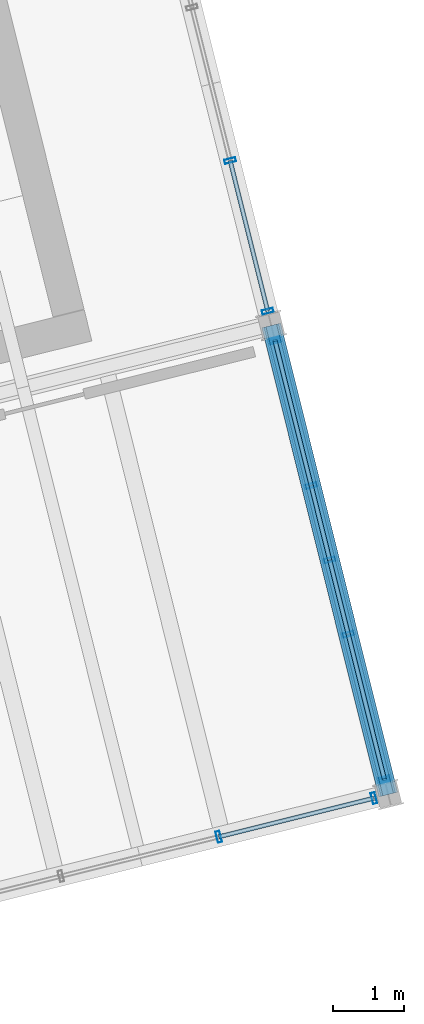
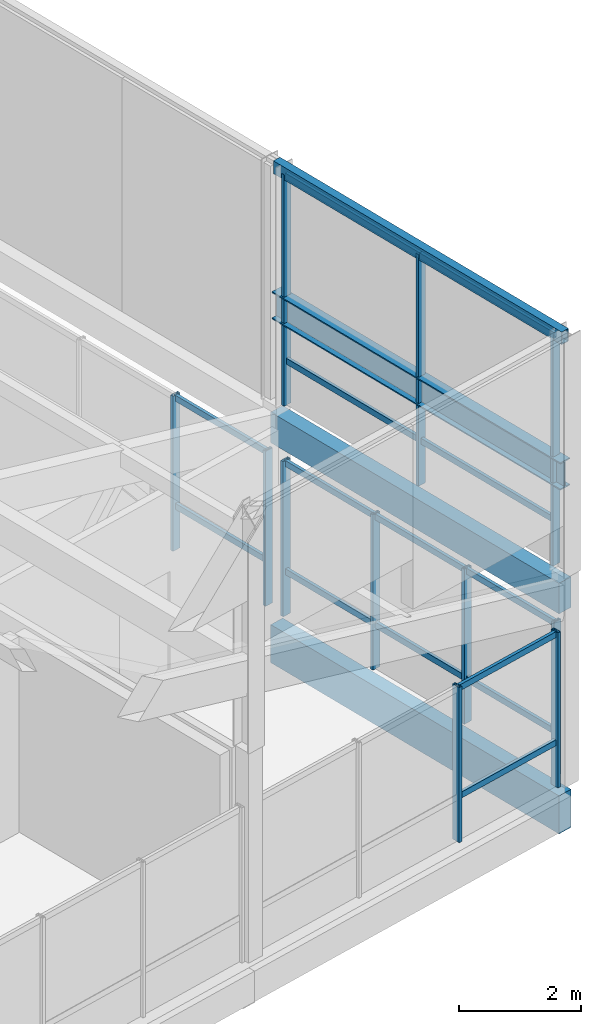
# One storey, part 24 of 31: 25 members, 4 beams, 4 elements without a shape of their own.
"""IFC4 building model written with IfcOpenShell, lengths in metres."""

from ifc_helpers import new_model, si_unit, direction, frame, origin, origin_2d, place, context, subcontext, project, spatial, rectangle, hollow_rectangle, i_section, extrude, material, layer, layer_set, material_profile, profile_set, type_object, element, aggregate, save


model = new_model("IFC4")

# Units and contexts
model_context = context("Model", 3, precision=1e-05, world=origin(), true_north=direction((0.0, 1.0)))
body_context = subcontext(model_context, "Body", "Model", "MODEL_VIEW")
ifc_project = project(units=[si_unit("LENGTHUNIT", "METRE"), si_unit("AREAUNIT", "SQUARE_METRE"), si_unit("VOLUMEUNIT", "CUBIC_METRE"), si_unit("PLANEANGLEUNIT", "RADIAN"), si_unit("MASSUNIT", "GRAM", prefix="KILO")], contexts=[model_context])

# Site, building, storey
site_placement = place(None, origin())
site = spatial("IfcSite", under=ifc_project, at=site_placement, CompositionType="ELEMENT")
building_placement = place(site_placement, origin())
building = spatial("IfcBuilding", under=site, at=building_placement, Name="Meriwether Solvik Hall", CompositionType="ELEMENT")
storey_placement = place(building_placement, frame((0.0, 0.0, 61.199951171875)))
storey = spatial("IfcBuildingStorey", under=building, at=storey_placement, Name="L15", CompositionType="ELEMENT", Elevation=61.199951171875)

# Beams
ifc_material_1 = material(Name="Glulam Douglas-Fir 24F-V8 GL28h", Category="wood")
ifc_material_profile_1 = material_profile(ifc_material_1, rectangle(XDim=0.27294921875, YDim=0.610107421875, at=origin_2d()), Name="GLB-273X610")
ifc_profile_set_1 = profile_set([ifc_material_profile_1], Name="Glulam Douglas-Fir 24F-V8 GL28h")
beam_type_1 = type_object("IfcBeamType", Name="BM-GL-273X610", PredefinedType="SPANDREL", material=ifc_profile_set_1)
beam_1_placement = place(storey_placement, frame((96.9326171875, 48.26416015625, 3.698974609375), z_axis=(-0.241918877831, 0.970296478685, 0.0), x_axis=(-0.970296478685, -0.241918877831, 0.0)))
element("IfcBeam", 1, at=beam_1_placement, inside=storey, type_object=beam_type_1, Name="Roof Tie Beam T5:TA-TB", PredefinedType="SPANDREL", context=body_context, shape_type="SweptSolid", body=[
    extrude(rectangle(XDim=0.27294921875, YDim=0.610107421875, at=origin_2d()), origin(), (0.0, 0.0, 1.0), 6.7998046875),
])
ifc_material_2 = material(Name="Glulam Douglas-Fir 24F-V8 GL28h", Category="wood")
ifc_material_profile_2 = material_profile(ifc_material_2, rectangle(XDim=0.27294921875, YDim=0.760009765625, at=origin_2d()), Name="GLB-273X760")
ifc_profile_set_2 = profile_set([ifc_material_profile_2], Name="Glulam Douglas-Fir 24F-V8 GL28h")
beam_type_2 = type_object("IfcBeamType", Name="BM-GL-273X760", PredefinedType="BEAM", material=ifc_profile_set_2)
beam_2_placement = place(storey_placement, frame((96.9326171875, 48.26416015625, -0.625), z_axis=(-0.241918877831, 0.970296478685, 0.0), x_axis=(-0.970296478685, -0.241918877831, 0.0)))
element("IfcBeam", 2, at=beam_2_placement, inside=storey, type_object=beam_type_2, Name="Tower Girder T5:TA-TB (L15)", PredefinedType="BEAM", context=body_context, shape_type="SweptSolid", body=[
    extrude(rectangle(XDim=0.27294921875, YDim=0.760009765625, at=origin_2d()), origin(), (0.0, 0.0, 1.0), 6.7998046875),
])
ifc_material_3 = material(Name="Steel A500 Grade C", Category="steel")
ifc_material_profile_3 = material_profile(ifc_material_3, hollow_rectangle(XDim=0.152099609375, YDim=0.25390625, WallThickness=0.009521484375, at=origin_2d()), Name="HSS254X152X9.5")
ifc_profile_set_3 = profile_set([ifc_material_profile_3], Name="Steel A500 Grade C")
beam_type_3 = type_object("IfcBeamType", Name="BM-STL-HSS254", PredefinedType="SPANDREL", material=ifc_profile_set_3)
beam_3_placement = place(storey_placement, frame((96.9326171875, 48.26416015625, 8.873046875), z_axis=(-0.241918877831, 0.970296478685, 0.0), x_axis=(-0.970296478685, -0.241918877831, 0.0)))
element("IfcBeam", 3, at=beam_3_placement, inside=storey, type_object=beam_type_3, Name="Crown Cap Ring Beam T5TA-T5TB", PredefinedType="SPANDREL", context=body_context, shape_type="SweptSolid", body=[
    extrude(hollow_rectangle(XDim=0.152099609375, YDim=0.25390625, WallThickness=0.009521484375, at=origin_2d()), origin(), (0.0, 0.0, 1.0), 6.7998046875),
])
ifc_material_4 = material(Name="Steel A992 Grade 50", Category="steel")
ifc_material_profile_4 = material_profile(ifc_material_4, i_section(OverallWidth=0.214111328125, OverallDepth=0.549072265625, WebThickness=0.0146484375, FlangeThickness=0.023681640625, at=origin_2d()), Name="W21X93")
ifc_profile_set_4 = profile_set([ifc_material_profile_4], Name="Steel A992 Grade 50")
beam_type_4 = type_object("IfcBeamType", Name="BM-STL-W21X93", PredefinedType="SPANDREL", material=ifc_profile_set_4)
beam_4_placement = place(storey_placement, frame((96.9326171875, 48.26416015625, 6.12548828125), z_axis=(-0.241918877831, 0.970296478685, 0.0), x_axis=(-0.970296478685, -0.241918877831, 0.0)))
element("IfcBeam", 4, at=beam_4_placement, inside=storey, type_object=beam_type_4, Name="Crown Wind Girt Beam T5TA-T5TB", PredefinedType="SPANDREL", context=body_context, shape_type="SweptSolid", body=[
    extrude(i_section(OverallWidth=0.214111328125, OverallDepth=0.549072265625, WebThickness=0.0146484375, FlangeThickness=0.023681640625, at=origin_2d()), origin(), (0.0, 0.0, 1.0), 6.7998046875),
])

# Curtain wall, members
ifc_material_5 = material(Name="Thermally Broken Anodised Aluminium 6063-T6 and Low-E Glass", Category="aluminium")
ifc_layer_1 = layer(ifc_material_5, 0.179931640625)
ifc_layer_set_1 = layer_set([ifc_layer_1], Name="Thermally Broken Anodised Aluminium 6063-T6 and Low-E Glass")
curtain_wall_type_1 = type_object("IfcCurtainWallType", Name="CW-UNIT-B", PredefinedType="USERDEFINED", material=ifc_layer_set_1)
curtain_wall_1_placement = place(storey_placement, origin())
curtain_wall_1 = element("IfcCurtainWall", 5, at=curtain_wall_1_placement, inside=storey, type_object=curtain_wall_type_1, Name="Curtain Wall E0_B3 (L15)", ObjectType="UNITISED CURTAIN WALL", PredefinedType="USERDEFINED")
ifc_material_6 = material(Name="Anodised Aluminium 6063-T6", Category="aluminium")
ifc_material_profile_5 = material_profile(ifc_material_6, hollow_rectangle(XDim=0.06005859375, YDim=0.159912109375, WallThickness=0.00390625, at=origin_2d()), Name="CWM-60X160")
ifc_profile_set_5 = profile_set([ifc_material_profile_5], Name="Anodised Aluminium 6063-T6")
member_type_1 = type_object("IfcMemberType", Name="CW-MUL-60X160", PredefinedType="MULLION", material=ifc_profile_set_5)
member_1_placement = place(storey_placement, frame((96.731201171875, 48.2138671875, 0.0), z_axis=(0.0, 0.0, 1.0), x_axis=(-0.970295696551, -0.241922014821, 0.0)))
member_1 = element("IfcMember", 6, at=member_1_placement, type_object=member_type_1, Name="Curtain Wall Mullion 1", PredefinedType="MULLION", context=body_context, shape_type="SweptSolid", body=[
    extrude(hollow_rectangle(XDim=0.06005859375, YDim=0.159912109375, WallThickness=0.00390625, at=origin_2d()), origin(), (0.0, 0.0, 1.0), 3.10205078125),
])
member_2_placement = place(storey_placement, frame((94.549072265625, 47.669921875, 0.0), z_axis=(0.0, 0.0, 1.0), x_axis=(-0.970295696551, -0.241922014821, 0.0)))
member_2 = element("IfcMember", 7, at=member_2_placement, type_object=member_type_1, Name="Curtain Wall Mullion 2", PredefinedType="MULLION", context=body_context, shape_type="SweptSolid", body=[
    extrude(hollow_rectangle(XDim=0.06005859375, YDim=0.159912109375, WallThickness=0.00390625, at=origin_2d()), origin(), (0.0, 0.0, 1.0), 3.10205078125),
])

ifc_material_7 = material(Name="Thermally Broken Anodised Aluminium 6063-T6 and Low-E Glass", Category="aluminium")
ifc_layer_2 = layer(ifc_material_7, 0.179931640625)
ifc_layer_set_2 = layer_set([ifc_layer_2], Name="Thermally Broken Anodised Aluminium 6063-T6 and Low-E Glass")
curtain_wall_type_2 = type_object("IfcCurtainWallType", Name="CW-UNIT-G", PredefinedType="USERDEFINED", material=ifc_layer_set_2)
curtain_wall_2_placement = place(storey_placement, origin())
curtain_wall_2 = element("IfcCurtainWall", 8, at=curtain_wall_2_placement, inside=storey, type_object=curtain_wall_type_2, Name="Curtain Wall E1_B0 (L15)", ObjectType="UNITISED CURTAIN WALL", PredefinedType="USERDEFINED")
member_3_placement = place(storey_placement, frame((95.337890625, 54.660888671875, 0.0), z_axis=(0.0, 0.0, 1.0), x_axis=(0.241921830705, -0.970295742456, 0.0)))
member_3 = element("IfcMember", 9, at=member_3_placement, type_object=member_type_1, Name="Curtain Wall Mullion 1", PredefinedType="MULLION", context=body_context, shape_type="SweptSolid", body=[
    extrude(hollow_rectangle(XDim=0.06005859375, YDim=0.159912109375, WallThickness=0.00390625, at=origin_2d()), origin(), (0.0, 0.0, 1.0), 3.10205078125),
])
member_4_placement = place(storey_placement, frame((95.849609375, 52.60791015625, 0.0), z_axis=(0.0, 0.0, 1.0), x_axis=(0.241921830705, -0.970295742456, 0.0)))
member_4 = element("IfcMember", 10, at=member_4_placement, type_object=member_type_1, Name="Curtain Wall Mullion 2", PredefinedType="MULLION", context=body_context, shape_type="SweptSolid", body=[
    extrude(hollow_rectangle(XDim=0.06005859375, YDim=0.159912109375, WallThickness=0.00390625, at=origin_2d()), origin(), (0.0, 0.0, 1.0), 3.10205078125),
])
member_5_placement = place(storey_placement, frame((96.37060546875, 50.518310546875, 0.0), z_axis=(0.0, 0.0, 1.0), x_axis=(0.241921830705, -0.970295742456, 0.0)))
member_5 = element("IfcMember", 11, at=member_5_placement, type_object=member_type_1, Name="Curtain Wall Mullion 3", PredefinedType="MULLION", context=body_context, shape_type="SweptSolid", body=[
    extrude(hollow_rectangle(XDim=0.06005859375, YDim=0.159912109375, WallThickness=0.00390625, at=origin_2d()), origin(), (0.0, 0.0, 1.0), 3.10205078125),
])
member_6_placement = place(storey_placement, frame((96.88232421875, 48.465576171875, 0.0), z_axis=(0.0, 0.0, 1.0), x_axis=(0.241921830705, -0.970295742456, 0.0)))
member_6 = element("IfcMember", 12, at=member_6_placement, type_object=member_type_1, Name="Curtain Wall Mullion 4", PredefinedType="MULLION", context=body_context, shape_type="SweptSolid", body=[
    extrude(hollow_rectangle(XDim=0.06005859375, YDim=0.159912109375, WallThickness=0.00390625, at=origin_2d()), origin(), (0.0, 0.0, 1.0), 3.10205078125),
])

ifc_material_8 = material(Name="Thermally Broken Anodised Aluminium 6063-T6 and Low-E Glass", Category="aluminium")
ifc_layer_3 = layer(ifc_material_8, 0.179931640625)
ifc_layer_set_3 = layer_set([ifc_layer_3], Name="Thermally Broken Anodised Aluminium 6063-T6 and Low-E Glass")
curtain_wall_type_3 = type_object("IfcCurtainWallType", Name="CW-UNIT-A", PredefinedType="USERDEFINED", material=ifc_layer_set_3)
curtain_wall_3_placement = place(storey_placement, origin())
curtain_wall_3 = element("IfcCurtainWall", 13, at=curtain_wall_3_placement, inside=storey, type_object=curtain_wall_type_3, Name="Curtain Wall E1_B1 (L15)", ObjectType="UNITISED CURTAIN WALL", PredefinedType="USERDEFINED")
member_7_placement = place(storey_placement, frame((94.70947265625, 57.180908203125, 0.0), z_axis=(0.0, 0.0, 1.0), x_axis=(0.241921925524, -0.970295718815, 0.0)))
member_7 = element("IfcMember", 14, at=member_7_placement, type_object=member_type_1, Name="Curtain Wall Mullion 3", PredefinedType="MULLION", context=body_context, shape_type="SweptSolid", body=[
    extrude(hollow_rectangle(XDim=0.06005859375, YDim=0.159912109375, WallThickness=0.00390625, at=origin_2d()), origin(), (0.0, 0.0, 1.0), 3.10205078125),
])
member_8_placement = place(storey_placement, frame((95.2373046875, 55.0634765625, 0.0), z_axis=(0.0, 0.0, 1.0), x_axis=(0.241921925524, -0.970295718815, 0.0)))
member_8 = element("IfcMember", 15, at=member_8_placement, type_object=member_type_1, Name="Curtain Wall Mullion 4", PredefinedType="MULLION", context=body_context, shape_type="SweptSolid", body=[
    extrude(hollow_rectangle(XDim=0.06005859375, YDim=0.159912109375, WallThickness=0.00390625, at=origin_2d()), origin(), (0.0, 0.0, 1.0), 3.10205078125),
])

ifc_material_9 = material(Name="Thermally Broken Anodised Aluminium 6063-T6 and Low-E Glass", Category="aluminium")
ifc_layer_4 = layer(ifc_material_9, 0.179931640625)
ifc_layer_set_4 = layer_set([ifc_layer_4], Name="Thermally Broken Anodised Aluminium 6063-T6 and Low-E Glass")
curtain_wall_type_4 = type_object("IfcCurtainWallType", Name="CW-CROWN-GL", PredefinedType="USERDEFINED", material=ifc_layer_set_4)
curtain_wall_4_placement = place(storey_placement, origin())
curtain_wall_4 = element("IfcCurtainWall", 16, at=curtain_wall_4_placement, inside=storey, type_object=curtain_wall_type_4, Name="Curtain Wall crown_E_1 (L15)", ObjectType="UNITISED CURTAIN WALL", PredefinedType="USERDEFINED")
member_9_placement = place(storey_placement, frame((96.87744140625, 48.4853515625, 4.219970703125), z_axis=(0.0, 0.0, 1.0), x_axis=(-0.241922418429, 0.97029559592, 0.0)))
member_9 = element("IfcMember", 17, at=member_9_placement, type_object=member_type_1, Name="Curtain Wall Mullion 1", PredefinedType="MULLION", context=body_context, shape_type="SweptSolid", body=[
    extrude(hollow_rectangle(XDim=0.06005859375, YDim=0.159912109375, WallThickness=0.00390625, at=origin_2d()), origin(), (0.0, 0.0, 1.0), 4.630126953125),
])
member_10_placement = place(storey_placement, frame((96.110107421875, 51.563232421875, 4.219970703125), z_axis=(0.0, 0.0, 1.0), x_axis=(-0.241922418429, 0.97029559592, 0.0)))
member_10 = element("IfcMember", 18, at=member_10_placement, type_object=member_type_1, Name="Curtain Wall Mullion 2", PredefinedType="MULLION", context=body_context, shape_type="SweptSolid", body=[
    extrude(hollow_rectangle(XDim=0.06005859375, YDim=0.159912109375, WallThickness=0.00390625, at=origin_2d()), origin(), (0.0, 0.0, 1.0), 4.630126953125),
])
member_11_placement = place(storey_placement, frame((95.3427734375, 54.640869140625, 4.219970703125), z_axis=(0.0, 0.0, 1.0), x_axis=(-0.241922418429, 0.97029559592, 0.0)))
member_11 = element("IfcMember", 19, at=member_11_placement, type_object=member_type_1, Name="Curtain Wall Mullion 3", PredefinedType="MULLION", context=body_context, shape_type="SweptSolid", body=[
    extrude(hollow_rectangle(XDim=0.06005859375, YDim=0.159912109375, WallThickness=0.00390625, at=origin_2d()), origin(), (0.0, 0.0, 1.0), 4.630126953125),
])

# Member
ifc_material_10 = material(Name="Anodised Aluminium 6063-T6", Category="aluminium")
ifc_material_profile_6 = material_profile(ifc_material_10, hollow_rectangle(XDim=0.06005859375, YDim=0.1201171875, WallThickness=0.00390625, at=origin_2d()), Name="CWT-60X120")
ifc_profile_set_6 = profile_set([ifc_material_profile_6], Name="Anodised Aluminium 6063-T6")
member_type_2 = type_object("IfcMemberType", Name="CW-TRN-60X120", PredefinedType="USERDEFINED", material=ifc_profile_set_6)
member_12_placement = place(storey_placement, frame((96.731201171875, 48.2138671875, 0.880126953125), z_axis=(-0.970308305597, -0.241871437108, 0.0), x_axis=(0.241871437108, -0.970308305597, 0.0)))
member_12 = element("IfcMember", 20, at=member_12_placement, type_object=member_type_2, Name="Curtain Wall Transom 1-sill", ObjectType="TRANSOM", PredefinedType="USERDEFINED", context=body_context, shape_type="SweptSolid", body=[
    extrude(hollow_rectangle(XDim=0.06005859375, YDim=0.1201171875, WallThickness=0.00390625, at=origin_2d()), origin(), (0.0, 0.0, 1.0), 2.2490234375),
])

member_13_placement = place(storey_placement, frame((96.731201171875, 48.2138671875, 3.0419921875), z_axis=(-0.970308305597, -0.241871437108, 0.0), x_axis=(0.241871437108, -0.970308305597, 0.0)))
member_13 = element("IfcMember", 21, at=member_13_placement, type_object=member_type_2, Name="Curtain Wall Transom 1-head", ObjectType="TRANSOM", PredefinedType="USERDEFINED", context=body_context, shape_type="SweptSolid", body=[
    extrude(hollow_rectangle(XDim=0.06005859375, YDim=0.1201171875, WallThickness=0.00390625, at=origin_2d()), origin(), (0.0, 0.0, 1.0), 2.2490234375),
])

aggregate(curtain_wall_1, [member_1, member_2, member_12, member_13])

member_14_placement = place(storey_placement, frame((95.337890625, 54.660888671875, 0.880126953125), z_axis=(0.241856802757, -0.970311953425, 0.0), x_axis=(0.970311953425, 0.241856802757, 0.0)))
member_14 = element("IfcMember", 22, at=member_14_placement, type_object=member_type_2, Name="Curtain Wall Transom 1-sill", ObjectType="TRANSOM", PredefinedType="USERDEFINED", context=body_context, shape_type="SweptSolid", body=[
    extrude(hollow_rectangle(XDim=0.06005859375, YDim=0.1201171875, WallThickness=0.00390625, at=origin_2d()), origin(), (0.0, 0.0, 1.0), 2.11572265625),
])

member_15_placement = place(storey_placement, frame((95.337890625, 54.660888671875, 3.0419921875), z_axis=(0.241856802757, -0.970311953425, 0.0), x_axis=(0.970311953425, 0.241856802757, 0.0)))
member_15 = element("IfcMember", 23, at=member_15_placement, type_object=member_type_2, Name="Curtain Wall Transom 1-head", ObjectType="TRANSOM", PredefinedType="USERDEFINED", context=body_context, shape_type="SweptSolid", body=[
    extrude(hollow_rectangle(XDim=0.06005859375, YDim=0.1201171875, WallThickness=0.00390625, at=origin_2d()), origin(), (0.0, 0.0, 1.0), 2.11572265625),
])

member_16_placement = place(storey_placement, frame((95.849609375, 52.60791015625, 0.880126953125), z_axis=(0.241922068895, -0.970295683069, 0.0), x_axis=(0.970295683069, 0.241922068895, 0.0)))
member_16 = element("IfcMember", 24, at=member_16_placement, type_object=member_type_2, Name="Curtain Wall Transom 2-sill", ObjectType="TRANSOM", PredefinedType="USERDEFINED", context=body_context, shape_type="SweptSolid", body=[
    extrude(hollow_rectangle(XDim=0.06005859375, YDim=0.1201171875, WallThickness=0.00390625, at=origin_2d()), origin(), (0.0, 0.0, 1.0), 2.153564453125),
])

member_17_placement = place(storey_placement, frame((95.849609375, 52.60791015625, 3.0419921875), z_axis=(0.241922068895, -0.970295683069, 0.0), x_axis=(0.970295683069, 0.241922068895, 0.0)))
member_17 = element("IfcMember", 25, at=member_17_placement, type_object=member_type_2, Name="Curtain Wall Transom 2-head", ObjectType="TRANSOM", PredefinedType="USERDEFINED", context=body_context, shape_type="SweptSolid", body=[
    extrude(hollow_rectangle(XDim=0.06005859375, YDim=0.1201171875, WallThickness=0.00390625, at=origin_2d()), origin(), (0.0, 0.0, 1.0), 2.153564453125),
])

member_18_placement = place(storey_placement, frame((96.37060546875, 50.518310546875, 0.880126953125), z_axis=(0.24188388495, -0.970305202605, 0.0), x_axis=(0.970305202605, 0.24188388495, 0.0)))
member_18 = element("IfcMember", 26, at=member_18_placement, type_object=member_type_2, Name="Curtain Wall Transom 3-sill", ObjectType="TRANSOM", PredefinedType="USERDEFINED", context=body_context, shape_type="SweptSolid", body=[
    extrude(hollow_rectangle(XDim=0.06005859375, YDim=0.1201171875, WallThickness=0.00390625, at=origin_2d()), origin(), (0.0, 0.0, 1.0), 2.115478515625),
])

member_19_placement = place(storey_placement, frame((96.37060546875, 50.518310546875, 3.0419921875), z_axis=(0.24188388495, -0.970305202605, 0.0), x_axis=(0.970305202605, 0.24188388495, 0.0)))
member_19 = element("IfcMember", 27, at=member_19_placement, type_object=member_type_2, Name="Curtain Wall Transom 3-head", ObjectType="TRANSOM", PredefinedType="USERDEFINED", context=body_context, shape_type="SweptSolid", body=[
    extrude(hollow_rectangle(XDim=0.06005859375, YDim=0.1201171875, WallThickness=0.00390625, at=origin_2d()), origin(), (0.0, 0.0, 1.0), 2.115478515625),
])

aggregate(curtain_wall_2, [member_3, member_4, member_5, member_6, member_14, member_15, member_16, member_17, member_18, member_19])

member_20_placement = place(storey_placement, frame((94.70947265625, 57.180908203125, 0.880126953125), z_axis=(0.241877470874, -0.970306801524, 0.0), x_axis=(0.970306801524, 0.241877470874, 0.0)))
member_20 = element("IfcMember", 28, at=member_20_placement, type_object=member_type_2, Name="Curtain Wall Transom 3-sill", ObjectType="TRANSOM", PredefinedType="USERDEFINED", context=body_context, shape_type="SweptSolid", body=[
    extrude(hollow_rectangle(XDim=0.06005859375, YDim=0.1201171875, WallThickness=0.00390625, at=origin_2d()), origin(), (0.0, 0.0, 1.0), 2.18212890625),
])

member_21_placement = place(storey_placement, frame((94.70947265625, 57.180908203125, 3.0419921875), z_axis=(0.241877470874, -0.970306801524, 0.0), x_axis=(0.970306801524, 0.241877470874, 0.0)))
member_21 = element("IfcMember", 29, at=member_21_placement, type_object=member_type_2, Name="Curtain Wall Transom 3-head", ObjectType="TRANSOM", PredefinedType="USERDEFINED", context=body_context, shape_type="SweptSolid", body=[
    extrude(hollow_rectangle(XDim=0.06005859375, YDim=0.1201171875, WallThickness=0.00390625, at=origin_2d()), origin(), (0.0, 0.0, 1.0), 2.18212890625),
])

aggregate(curtain_wall_3, [member_7, member_8, member_20, member_21])

member_22_placement = place(storey_placement, frame((96.87744140625, 48.4853515625, 5.10009765625), z_axis=(-0.241901741904, 0.970300750934, 0.0), x_axis=(-0.970300750934, -0.241901741904, 0.0)))
member_22 = element("IfcMember", 30, at=member_22_placement, type_object=member_type_2, Name="Curtain Wall Transom 1-sill", ObjectType="TRANSOM", PredefinedType="USERDEFINED", context=body_context, shape_type="SweptSolid", body=[
    extrude(hollow_rectangle(XDim=0.06005859375, YDim=0.1201171875, WallThickness=0.00390625, at=origin_2d()), origin(), (0.0, 0.0, 1.0), 3.172119140625),
])

member_23_placement = place(storey_placement, frame((96.87744140625, 48.4853515625, 8.7900390625), z_axis=(-0.241901741904, 0.970300750934, 0.0), x_axis=(-0.970300750934, -0.241901741904, 0.0)))
member_23 = element("IfcMember", 31, at=member_23_placement, type_object=member_type_2, Name="Curtain Wall Transom 1-head", ObjectType="TRANSOM", PredefinedType="USERDEFINED", context=body_context, shape_type="SweptSolid", body=[
    extrude(hollow_rectangle(XDim=0.06005859375, YDim=0.1201171875, WallThickness=0.00390625, at=origin_2d()), origin(), (0.0, 0.0, 1.0), 3.172119140625),
])

member_24_placement = place(storey_placement, frame((96.110107421875, 51.563232421875, 5.10009765625), z_axis=(-0.241919808295, 0.970296246697, 0.0), x_axis=(-0.970296246697, -0.241919808295, 0.0)))
member_24 = element("IfcMember", 32, at=member_24_placement, type_object=member_type_2, Name="Curtain Wall Transom 2-sill", ObjectType="TRANSOM", PredefinedType="USERDEFINED", context=body_context, shape_type="SweptSolid", body=[
    extrude(hollow_rectangle(XDim=0.06005859375, YDim=0.1201171875, WallThickness=0.00390625, at=origin_2d()), origin(), (0.0, 0.0, 1.0), 3.171875),
])

member_25_placement = place(storey_placement, frame((96.110107421875, 51.563232421875, 8.7900390625), z_axis=(-0.241919808295, 0.970296246697, 0.0), x_axis=(-0.970296246697, -0.241919808295, 0.0)))
member_25 = element("IfcMember", 33, at=member_25_placement, type_object=member_type_2, Name="Curtain Wall Transom 2-head", ObjectType="TRANSOM", PredefinedType="USERDEFINED", context=body_context, shape_type="SweptSolid", body=[
    extrude(hollow_rectangle(XDim=0.06005859375, YDim=0.1201171875, WallThickness=0.00390625, at=origin_2d()), origin(), (0.0, 0.0, 1.0), 3.171875),
])

aggregate(curtain_wall_4, [member_9, member_10, member_11, member_22, member_23, member_24, member_25])

save(model, "model.ifc")
